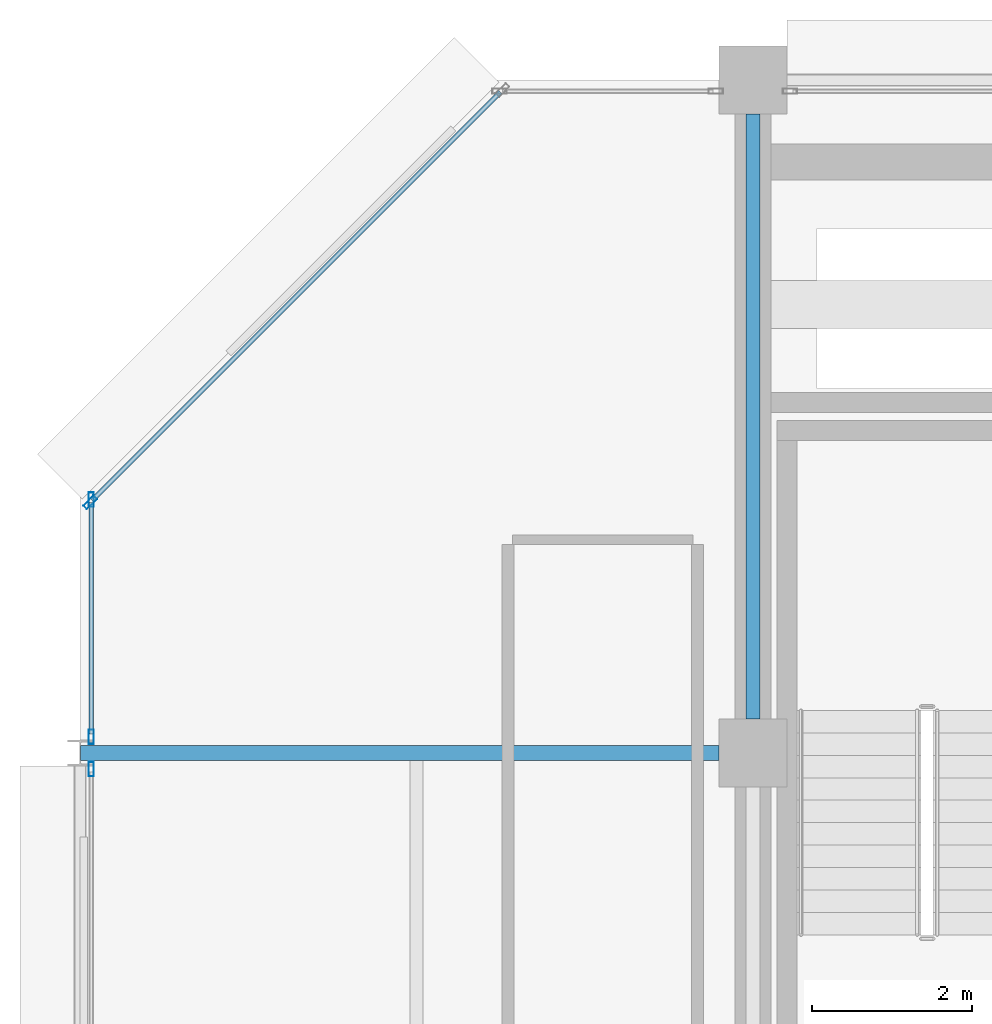
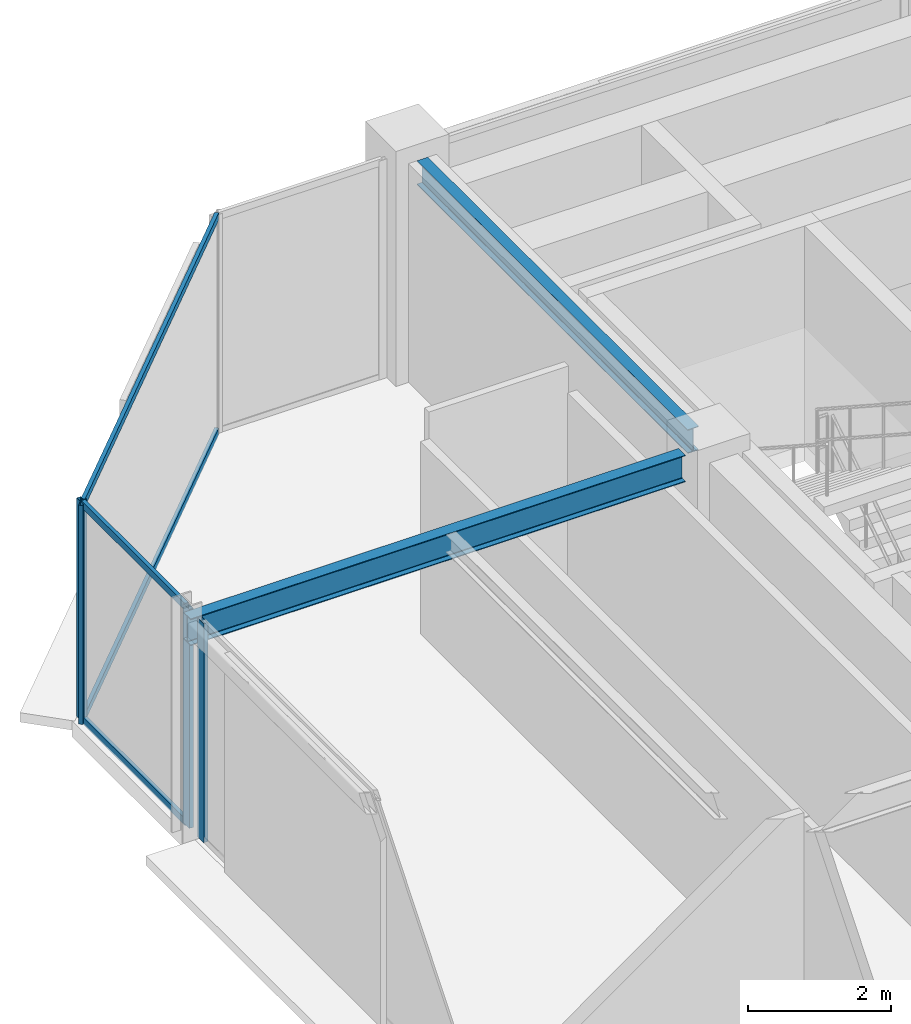
# One storey, part 17 of 27: 8 members, 2 beams, 3 elements without a shape of their own.
"""IFC4 building model written with IfcOpenShell, lengths in metres."""

from ifc_helpers import new_model, si_unit, direction, frame, origin, origin_2d, place, context, subcontext, project, spatial, hollow_rectangle, i_section, extrude, material, layer, layer_set, material_profile, profile_set, type_object, element, aggregate, save


model = new_model("IFC4")

# Units and contexts
model_context = context("Model", 3, precision=1e-05, world=origin(), true_north=direction((0.0, 1.0)))
body_context = subcontext(model_context, "Body", "Model", "MODEL_VIEW")
ifc_project = project(units=[si_unit("LENGTHUNIT", "METRE"), si_unit("AREAUNIT", "SQUARE_METRE"), si_unit("VOLUMEUNIT", "CUBIC_METRE"), si_unit("PLANEANGLEUNIT", "RADIAN"), si_unit("MASSUNIT", "GRAM", prefix="KILO")], contexts=[model_context])

# Site, building, storey
site_placement = place(None, origin())
site = spatial("IfcSite", under=ifc_project, at=site_placement, CompositionType="ELEMENT")
building_placement = place(site_placement, origin())
building = spatial("IfcBuilding", under=site, at=building_placement, Name="Nerrivon Quay Data Exchange", CompositionType="ELEMENT")
storey_placement = place(building_placement, frame((0.0, 0.0, 266.199951171875)))
storey = spatial("IfcBuildingStorey", under=building, at=storey_placement, Name="L63", CompositionType="ELEMENT", Elevation=266.199951171875)

# Beams
ifc_material_1 = material(Name="Steel Grade 350", Category="steel")
ifc_material_profile_1 = material_profile(ifc_material_1, i_section(OverallWidth=0.18994140625, OverallDepth=0.4541015625, WebThickness=0.008544921875, FlangeThickness=0.0126953125, FilletRadius=0.011474609375, at=origin_2d()), Name="460UB67.1")
ifc_profile_set_1 = profile_set([ifc_material_profile_1], Name="Steel Grade 350")
beam_type_1 = type_object("IfcBeamType", Name="BM-G6-460UB67", PredefinedType="BEAM", material=ifc_profile_set_1)
beam_1_placement = place(storey_placement, frame((0.0078125, 33.60009765625, 3.498046875), z_axis=(1.0, 0.0, 0.0), x_axis=(0.0, 1.0, 0.0)))
element("IfcBeam", 1, at=beam_1_placement, inside=storey, type_object=beam_type_1, Name="L63 EW Girder Y=33.6 (0.0..8.4)", PredefinedType="BEAM", context=body_context, shape_type="SweptSolid", body=[
    extrude(i_section(OverallWidth=0.18994140625, OverallDepth=0.4541015625, WebThickness=0.008544921875, FlangeThickness=0.0126953125, FilletRadius=0.011474609375, at=origin_2d()), origin(), (0.0, 0.0, 1.0), 7.96728515625),
])
ifc_material_profile_2 = material_profile(ifc_material_1, i_section(OverallWidth=0.177978515625, OverallDepth=0.406005859375, WebThickness=0.0078125, FlangeThickness=0.0126953125, FilletRadius=0.011474609375, at=origin_2d()), Name="410UB59.7")
ifc_profile_set_2 = profile_set([ifc_material_profile_2], Name="Steel Grade 350")
beam_type_2 = type_object("IfcBeamType", Name="BM-J1-410UB60", PredefinedType="JOIST", material=ifc_profile_set_2)
beam_2_placement = place(storey_placement, frame((8.39990234375, 34.02490234375, 3.52197265625), z_axis=(0.0, 1.0, 0.0), x_axis=(-1.0, 0.0, 0.0)))
element("IfcBeam", 2, at=beam_2_placement, inside=storey, type_object=beam_type_2, Name="L63 NS Girder X=8.4 (33.6..42.0)", PredefinedType="JOIST", context=body_context, shape_type="SweptSolid", body=[
    extrude(i_section(OverallWidth=0.177978515625, OverallDepth=0.406005859375, WebThickness=0.0078125, FlangeThickness=0.0126953125, FilletRadius=0.011474609375, at=origin_2d()), origin(), (0.0, 0.0, 1.0), 7.550048828125),
])

# Curtain wall, member
ifc_material_2 = material(Name="Anodised aluminium 6063-T6", Category="aluminium")
ifc_layer = layer(ifc_material_2, 0.195068359375)
ifc_layer_set = layer_set([ifc_layer], Name="Anodised aluminium 6063-T6")
curtain_wall_type = type_object("IfcCurtainWallType", Name="CW-SYS-06", PredefinedType="NOTDEFINED", material=ifc_layer_set)
curtain_wall_1_placement = place(storey_placement, origin())
curtain_wall_1 = element("IfcCurtainWall", 3, at=curtain_wall_1_placement, inside=storey, type_object=curtain_wall_type, Name="L63 Unitised Curtain Wall 14", PredefinedType="NOTDEFINED")
ifc_material_profile_3 = material_profile(ifc_material_2, hollow_rectangle(XDim=0.06494140625, YDim=0.179931640625, WallThickness=0.00341796875, at=origin_2d()), Name="ALU-MULL-180x65")
ifc_profile_set_3 = profile_set([ifc_material_profile_3], Name="Anodised aluminium 6063-T6")
member_type_1 = type_object("IfcMemberType", Name="CWM-180x65", PredefinedType="MULLION", material=ifc_profile_set_3)
member_1_placement = place(storey_placement, frame((0.139892578125, 33.39892578125, 0.0), z_axis=(0.0, 0.0, 1.0), x_axis=(-1.0, 0.0, 0.0)))
member_1 = element("IfcMember", 4, at=member_1_placement, type_object=member_type_1, Name="CW06 mullion 2", PredefinedType="MULLION", context=body_context, shape_type="SweptSolid", body=[
    extrude(hollow_rectangle(XDim=0.06494140625, YDim=0.179931640625, WallThickness=0.00341796875, at=origin_2d()), origin(), (0.0, 0.0, 1.0), 3.72509765625),
])
aggregate(curtain_wall_1, [member_1])

# Curtain wall, members
curtain_wall_2_placement = place(storey_placement, origin())
curtain_wall_2 = element("IfcCurtainWall", 5, at=curtain_wall_2_placement, inside=storey, type_object=curtain_wall_type, Name="L63 Unitised Curtain Wall 15", PredefinedType="NOTDEFINED")
member_2_placement = place(storey_placement, frame((0.139892578125, 33.801025390625, 0.0), z_axis=(0.0, 0.0, 1.0), x_axis=(-1.0, 0.0, 0.0)))
member_2 = element("IfcMember", 6, at=member_2_placement, type_object=member_type_1, Name="CW06 mullion 1", PredefinedType="MULLION", context=body_context, shape_type="SweptSolid", body=[
    extrude(hollow_rectangle(XDim=0.06494140625, YDim=0.179931640625, WallThickness=0.00341796875, at=origin_2d()), origin(), (0.0, 0.0, 1.0), 3.72509765625),
])
member_3_placement = place(storey_placement, frame((0.139892578125, 36.762451171875, 0.0), z_axis=(0.0, 0.0, 1.0), x_axis=(-1.0, 0.0, 0.0)))
member_3 = element("IfcMember", 7, at=member_3_placement, type_object=member_type_1, Name="CW06 mullion 2", PredefinedType="MULLION", context=body_context, shape_type="SweptSolid", body=[
    extrude(hollow_rectangle(XDim=0.06494140625, YDim=0.179931640625, WallThickness=0.00341796875, at=origin_2d()), origin(), (0.0, 0.0, 1.0), 3.72509765625),
])

# Curtain wall, member
curtain_wall_3_placement = place(storey_placement, origin())
curtain_wall_3 = element("IfcCurtainWall", 8, at=curtain_wall_3_placement, inside=storey, type_object=curtain_wall_type, Name="L63 Unitised Curtain Wall 16", PredefinedType="NOTDEFINED")
member_4_placement = place(storey_placement, frame((0.12548828125, 36.7275390625, 0.0), z_axis=(0.0, 0.0, 1.0), x_axis=(-0.707106781187, 0.707106781187, 0.0)))
member_4 = element("IfcMember", 9, at=member_4_placement, type_object=member_type_1, Name="CW06 mullion 1", PredefinedType="MULLION", context=body_context, shape_type="SweptSolid", body=[
    extrude(hollow_rectangle(XDim=0.06494140625, YDim=0.179931640625, WallThickness=0.00341796875, at=origin_2d()), origin(), (0.0, 0.0, 1.0), 3.72509765625),
])

# Member
ifc_material_profile_4 = material_profile(ifc_material_2, hollow_rectangle(XDim=0.06005859375, YDim=0.1201171875, WallThickness=0.003173828125, at=origin_2d()), Name="ALU-TRAN-120x60")
ifc_profile_set_4 = profile_set([ifc_material_profile_4], Name="Anodised aluminium 6063-T6")
member_type_2 = type_object("IfcMemberType", Name="CWT-120x60", PredefinedType="USERDEFINED", material=ifc_profile_set_4)
member_5_placement = place(storey_placement, frame((0.139892578125, 33.83837890625, 0.032470703125), z_axis=(0.0, 1.0, 0.0), x_axis=(-1.0, 0.0, 0.0)))
member_5 = element("IfcMember", 10, at=member_5_placement, type_object=member_type_2, Name="CW06 transom 1.1", ObjectType="TRANSOM", PredefinedType="USERDEFINED", context=body_context, shape_type="SweptSolid", body=[
    extrude(hollow_rectangle(XDim=0.06005859375, YDim=0.1201171875, WallThickness=0.003173828125, at=origin_2d()), origin(), (0.0, 0.0, 1.0), 2.88671875),
])

member_6_placement = place(storey_placement, frame((0.139892578125, 33.83837890625, 3.692626953125), z_axis=(0.0, 1.0, 0.0), x_axis=(-1.0, 0.0, 0.0)))
member_6 = element("IfcMember", 11, at=member_6_placement, type_object=member_type_2, Name="CW06 transom 1.2", ObjectType="TRANSOM", PredefinedType="USERDEFINED", context=body_context, shape_type="SweptSolid", body=[
    extrude(hollow_rectangle(XDim=0.06005859375, YDim=0.1201171875, WallThickness=0.003173828125, at=origin_2d()), origin(), (0.0, 0.0, 1.0), 2.88671875),
])

aggregate(curtain_wall_2, [member_2, member_3, member_5, member_6])

member_7_placement = place(storey_placement, frame((0.152099609375, 36.754150390625, 0.032470703125), z_axis=(0.707106781187, 0.707106781187, 0.0), x_axis=(-0.707106781187, 0.707106781187, 0.0)))
member_7 = element("IfcMember", 12, at=member_7_placement, type_object=member_type_2, Name="CW06 transom 1.1", ObjectType="TRANSOM", PredefinedType="USERDEFINED", context=body_context, shape_type="SweptSolid", body=[
    extrude(hollow_rectangle(XDim=0.06005859375, YDim=0.1201171875, WallThickness=0.003173828125, at=origin_2d()), origin(), (0.0, 0.0, 1.0), 7.20361328125),
])

member_8_placement = place(storey_placement, frame((0.152099609375, 36.754150390625, 3.692626953125), z_axis=(0.707106781187, 0.707106781187, 0.0), x_axis=(-0.707106781187, 0.707106781187, 0.0)))
member_8 = element("IfcMember", 13, at=member_8_placement, type_object=member_type_2, Name="CW06 transom 1.2", ObjectType="TRANSOM", PredefinedType="USERDEFINED", context=body_context, shape_type="SweptSolid", body=[
    extrude(hollow_rectangle(XDim=0.06005859375, YDim=0.1201171875, WallThickness=0.003173828125, at=origin_2d()), origin(), (0.0, 0.0, 1.0), 7.20361328125),
])

aggregate(curtain_wall_3, [member_4, member_7, member_8])

save(model, "model.ifc")
